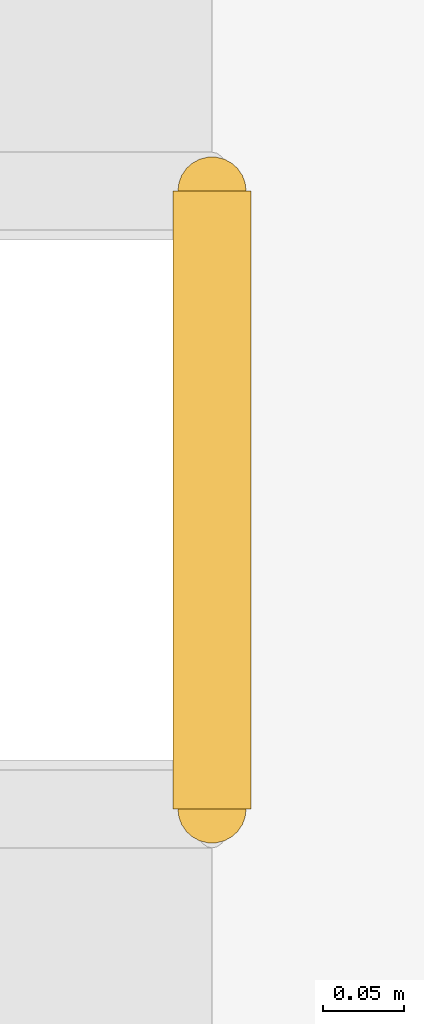
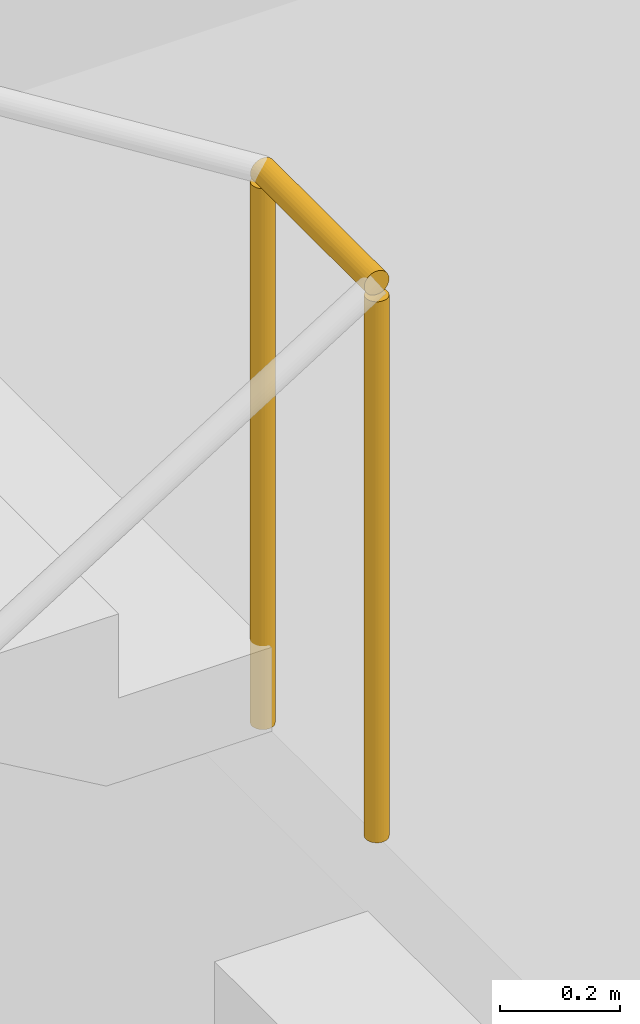
# One storey, part 72 of 76: 1 railing.
"""IFC4 building model written with IfcOpenShell, lengths in metres."""

from ifc_helpers import new_model, si_unit, direction, frame, origin, origin_2d, place, context, subcontext, project, spatial, circle, extrude, material, layer, layer_set, type_object, element, save


model = new_model("IFC4")

# Units and contexts
model_context = context("Model", 3, precision=1e-05, world=origin(), true_north=direction((0.0, 1.0)))
body_context = subcontext(model_context, "Body", "Model", "MODEL_VIEW")
ifc_project = project(units=[si_unit("LENGTHUNIT", "METRE"), si_unit("AREAUNIT", "SQUARE_METRE"), si_unit("VOLUMEUNIT", "CUBIC_METRE"), si_unit("PLANEANGLEUNIT", "RADIAN"), si_unit("MASSUNIT", "GRAM", prefix="KILO")], contexts=[model_context])

# Site, building, storey
site_placement = place(None, origin())
site = spatial("IfcSite", under=ifc_project, at=site_placement, CompositionType="ELEMENT")
building_placement = place(site_placement, origin())
building = spatial("IfcBuilding", under=site, at=building_placement, Name="Naruveol Harbour Congress Hotel", CompositionType="ELEMENT")
storey_placement = place(building_placement, frame((0.0, 0.0, 11.39990234375)))
storey = spatial("IfcBuildingStorey", under=building, at=storey_placement, Name="L02", CompositionType="ELEMENT", Elevation=11.39990234375)

# Railing
ifc_material = material(Name="Steel SN490", Category="steel")
ifc_layer = layer(ifc_material, 0.044921875)
ifc_layer_set = layer_set([ifc_layer], Name="Steel SN490")
railing_type = type_object("IfcRailingType", Name="STAIRWELL STEEL GUARDRAIL 1150", PredefinedType="GUARDRAIL", material=ifc_layer_set)
railing_placement = place(storey_placement, frame((81.534912109375, 11.18994140625, 2.400146484375)))
element("IfcRailing", 1, at=railing_placement, inside=storey, type_object=railing_type, Name="Stair ST10 L02 half-landing slot guard", PredefinedType="GUARDRAIL", context=body_context, shape_type="SweptSolid", body=[
    extrude(circle(Radius=0.02392578125, at=origin_2d()), frame((0.0, 0.0, 1.1259765625), z_axis=(0.0, 1.0, 0.0), x_axis=(-1.0, 0.0, 0.0)), (0.0, 0.0, 1.0), 0.380126953125),
    extrude(circle(Radius=0.02099609375, at=origin_2d()), origin(), (0.0, 0.0, 1.0), 1.101806640625),
    extrude(circle(Radius=0.02099609375, at=origin_2d()), frame((0.0, 0.380126953125, 0.0)), (0.0, 0.0, 1.0), 1.101806640625),
])

save(model, "model.ifc")
